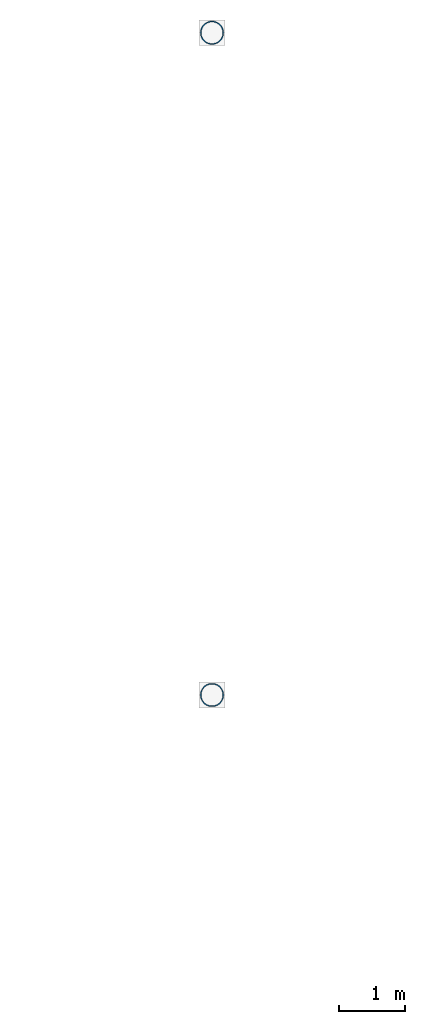
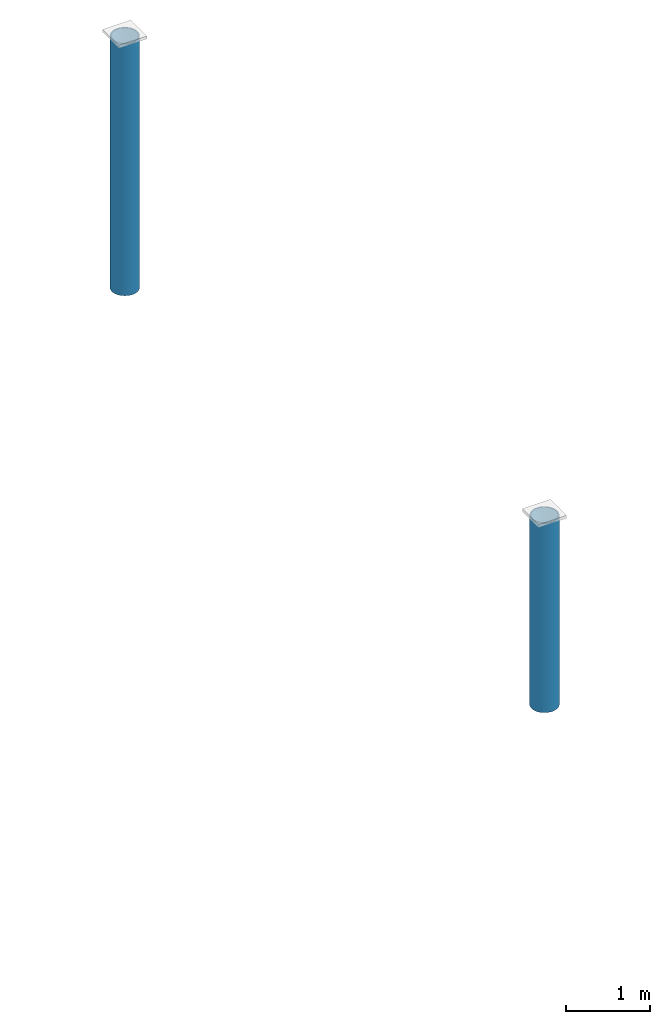
# One storey, part 5 of 23: 2 columns.
"""IFC4 building model written with IfcOpenShell, lengths in metres."""

from ifc_helpers import new_model, si_unit, direction, frame, origin, origin_2d, place, context, subcontext, project, spatial, hollow_circle, extrude, material, material_profile, profile_set, type_object, element, save


model = new_model("IFC4")

# Units and contexts
model_context = context("Model", 3, precision=1e-05, world=origin(), true_north=direction((0.0, 1.0)))
body_context = subcontext(model_context, "Body", "Model", "MODEL_VIEW")
ifc_project = project(units=[si_unit("LENGTHUNIT", "METRE"), si_unit("AREAUNIT", "SQUARE_METRE"), si_unit("VOLUMEUNIT", "CUBIC_METRE"), si_unit("PLANEANGLEUNIT", "RADIAN"), si_unit("MASSUNIT", "GRAM", prefix="KILO"), si_unit("THERMODYNAMICTEMPERATUREUNIT", "KELVIN"), si_unit("POWERUNIT", "WATT")], contexts=[model_context])

# Site, building, storey
site_placement = place(None, origin())
site = spatial("IfcSite", under=ifc_project, at=site_placement, CompositionType="ELEMENT")
building_placement = place(site_placement, origin())
building = spatial("IfcBuilding", under=site, at=building_placement, Name="Korenveer Ferry Terminal", CompositionType="ELEMENT")
storey_placement = place(building_placement, frame((0.0, 0.0, 14.39990234375)))
storey = spatial("IfcBuildingStorey", under=building, at=storey_placement, Name="L03", CompositionType="ELEMENT", Elevation=14.39990234375)

# Columns
ifc_material = material(Name="Steel S355", Category="steel")
ifc_material_profile = material_profile(ifc_material, hollow_circle(Radius=0.177734375, WallThickness=0.01611328125, at=origin_2d()), Name="CHS 355.6x16")
ifc_profile_set = profile_set([ifc_material_profile], Name="Steel S355")
column_type = type_object("IfcColumnType", Name="STR-COL-CHS355", PredefinedType="COLUMN", material=ifc_profile_set)
column_1_placement = place(storey_placement, frame((123.0, 90.0, 0.002197265625), z_axis=(0.0, 0.0, 1.0), x_axis=(1.0, 0.0, 0.0)))
element("IfcColumn", 1, at=column_1_placement, inside=storey, type_object=column_type, Name="Folded roof valley support column RCOL-X123-Y90", PredefinedType="COLUMN", context=body_context, shape_type="SweptSolid", body=[
    extrude(hollow_circle(Radius=0.177734375, WallThickness=0.01611328125, at=origin_2d()), origin(), (0.0, 0.0, 1.0), 2.752197265625),
])
column_2_placement = place(storey_placement, frame((123.0, 100.0, 0.002197265625), z_axis=(0.0, 0.0, 1.0), x_axis=(1.0, 0.0, 0.0)))
element("IfcColumn", 2, at=column_2_placement, inside=storey, type_object=column_type, Name="Folded roof valley support column RCOL-X123-Y100", PredefinedType="COLUMN", context=body_context, shape_type="SweptSolid", body=[
    extrude(hollow_circle(Radius=0.177734375, WallThickness=0.01611328125, at=origin_2d()), origin(), (0.0, 0.0, 1.0), 3.66015625),
])

save(model, "model.ifc")
